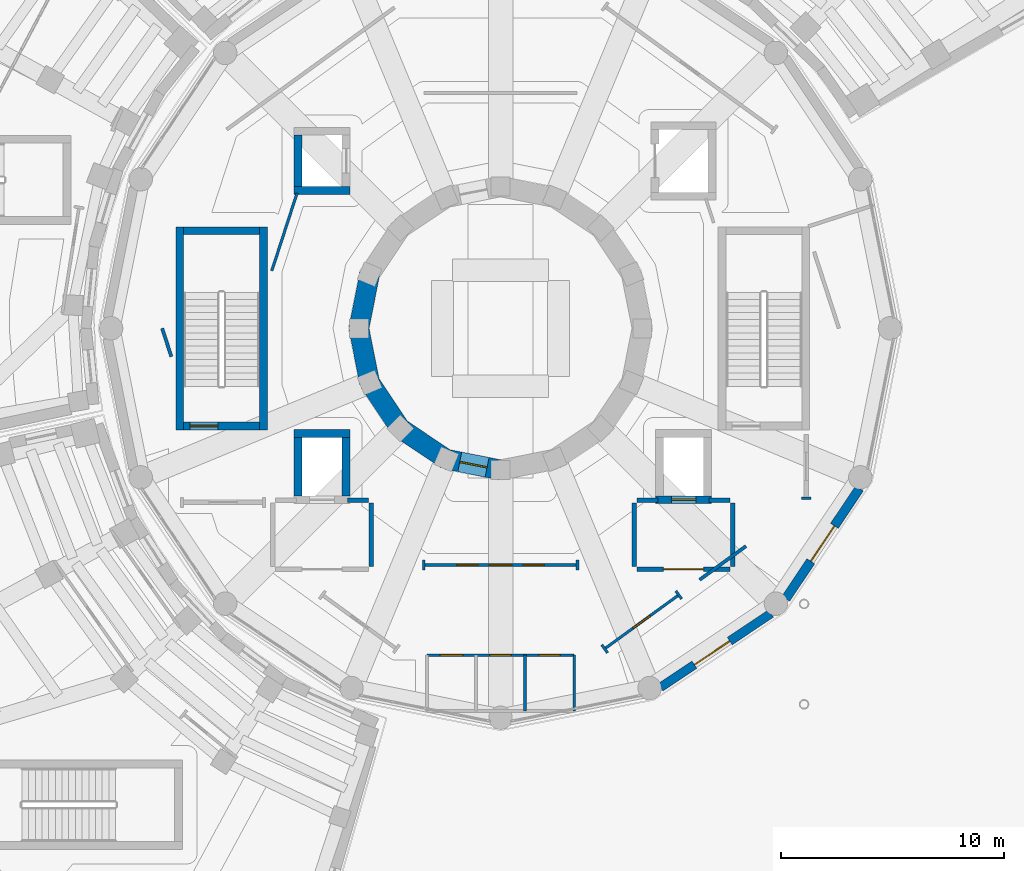
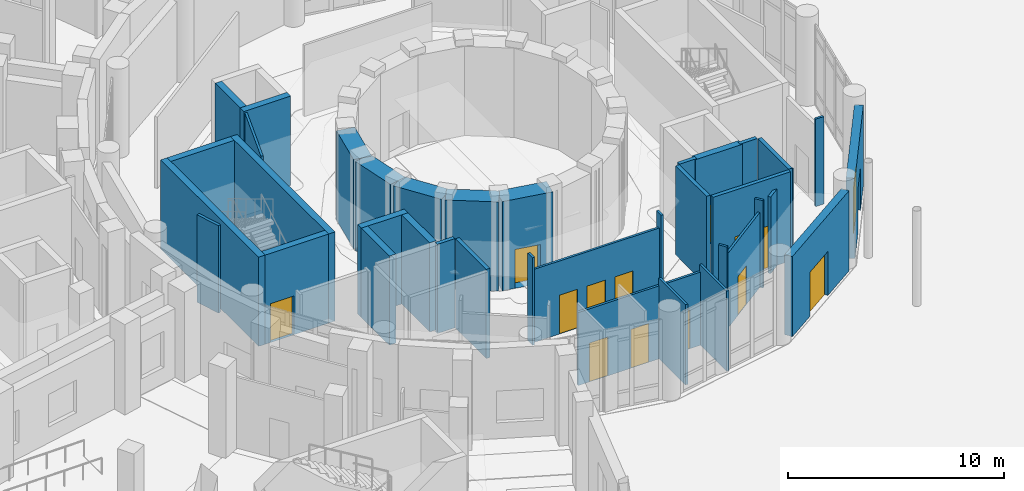
# One storey, part 44 of 74: 37 walls, 13 doors, 13 openings.
"""IFC4 building model written with IfcOpenShell, lengths in metres."""

from ifc_helpers import new_model, si_unit, direction, frame, frame_2d, origin, place, context, subcontext, project, spatial, rectangle, extrude, material, layer, layer_set, type_object, element, fill, save


model = new_model("IFC4")

# Units and contexts
model_context = context("Model", 3, precision=1e-05, world=origin(), true_north=direction((0.0, 1.0)))
body_context = subcontext(model_context, "Body", "Model", "MODEL_VIEW")
ifc_project = project(units=[si_unit("LENGTHUNIT", "METRE"), si_unit("AREAUNIT", "SQUARE_METRE"), si_unit("VOLUMEUNIT", "CUBIC_METRE"), si_unit("PLANEANGLEUNIT", "RADIAN"), si_unit("MASSUNIT", "GRAM", prefix="KILO")], contexts=[model_context])

# Site, building, storey
site_placement = place(None, origin())
site = spatial("IfcSite", under=ifc_project, at=site_placement, CompositionType="ELEMENT")
building_placement = place(site_placement, origin())
building = spatial("IfcBuilding", under=site, at=building_placement, Name="Soyqirgoq Riverine Aquarium", CompositionType="ELEMENT")
storey_placement = place(building_placement, origin())
storey = spatial("IfcBuildingStorey", under=building, at=storey_placement, Name="L01", CompositionType="ELEMENT", Elevation=0.0)

# Wall, opening, door
ifc_material_1 = material(Name="Concrete C40/50", Category="concrete")
ifc_layer_1 = layer(ifc_material_1, 0.35009765625)
ifc_layer_set_1 = layer_set([ifc_layer_1], Name="Concrete C40/50")
wall_type_1 = type_object("IfcWallType", Name="CoreShearWall_350_C40", PredefinedType="SHEAR", material=ifc_layer_set_1)
wall_1_placement = place(storey_placement, frame((62.945068359375, 49.320068359375, 0.0), z_axis=(0.0, 0.0, 1.0), x_axis=(1.0, 0.0, 0.0)))
wall_1 = element("IfcWall", 1, at=wall_1_placement, inside=storey, type_object=wall_type_1, Name="Lift FFL-1 Shaft Wall L01 1", PredefinedType="SHEAR", context=body_context, shape_type="SweptSolid", body=[
    extrude(rectangle(XDim=2.510009765625, YDim=0.35009765625, at=frame_2d((1.2548828125, 0.0))), origin(), (0.0, 0.0, 1.0), 5.050048828125),
])
opening_1_placement = place(wall_1_placement, frame((0.705078125, 0.0, 0.0)))
opening_1 = element("IfcOpeningElement", 2, at=opening_1_placement, cuts=wall_1, Name="Opening LD-01", PredefinedType="OPENING", context=body_context, shape_type="SweptSolid", body=[
    extrude(rectangle(XDim=1.10009765625, YDim=2.199951171875, at=frame_2d((0.550048828125, 1.10009765625))), frame((0.0, 0.18505859375, 0.0), z_axis=(0.0, -1.0, 0.0), x_axis=(1.0, 0.0, 0.0)), (0.0, 0.0, 1.0), 0.3701171875),
])
ifc_material_2 = material(Name="Brushed stainless steel telescopic lift landing door", Category="steel")
door_type_1 = type_object("IfcDoorType", Name="LiftLandingDoor_1100x2200", OperationType="SLIDING_TO_LEFT", PredefinedType="DOOR", material=ifc_material_2)
door_1_placement = place(opening_1_placement, origin())
door_1 = element("IfcDoor", 3, at=door_1_placement, inside=storey, type_object=door_type_1, Name="LD-FFL-1-L01 Lift FFL-1 L01 Sliding Landing Door", OperationType="SLIDING_TO_LEFT", OverallHeight=2.199951171875, OverallWidth=1.10009765625, PredefinedType="DOOR", context=body_context, shape_type="SweptSolid", body=[
    extrude(rectangle(XDim=1.10009765625, YDim=2.199951171875, at=frame_2d((0.550048828125, 1.10009765625))), frame((0.0, 0.02490234375, 0.0), z_axis=(0.0, -1.0, 0.0), x_axis=(1.0, 0.0, 0.0)), (0.0, 0.0, 1.0), 0.050048828125),
])
fill(opening_1, door_1)

# Walls
wall_2_placement = place(storey_placement, frame((45.375, 52.449951171875, 0.0), z_axis=(0.0, 0.0, 1.0), x_axis=(0.0, 1.0, 0.0)))
element("IfcWall", 4, at=wall_2_placement, inside=storey, type_object=wall_type_1, Name="CORE-1B L01 Stair Core Shear Wall SIDE1", PredefinedType="SHEAR", context=body_context, shape_type="SweptSolid", body=[
    extrude(rectangle(XDim=9.10009765625, YDim=0.35009765625, at=frame_2d((4.550048828125, 0.0))), origin(), (0.0, 0.0, 1.0), 5.050048828125),
])
wall_3_placement = place(storey_placement, frame((45.199951171875, 61.375, 0.0), z_axis=(0.0, 0.0, 1.0), x_axis=(-1.0, 0.0, 0.0)))
element("IfcWall", 5, at=wall_3_placement, inside=storey, type_object=wall_type_1, Name="CORE-1B L01 Stair Core Shear Wall BACK", PredefinedType="SHEAR", context=body_context, shape_type="SweptSolid", body=[
    extrude(rectangle(XDim=3.39990234375, YDim=0.35009765625, at=frame_2d((1.699951171875, 0.0))), origin(), (0.0, 0.0, 1.0), 5.050048828125),
])
wall_4_placement = place(storey_placement, frame((41.625, 61.550048828125, 0.0), z_axis=(0.0, 0.0, 1.0), x_axis=(0.0, -1.0, 0.0)))
element("IfcWall", 6, at=wall_4_placement, inside=storey, type_object=wall_type_1, Name="CORE-1B L01 Stair Core Shear Wall SIDE2", PredefinedType="SHEAR", context=body_context, shape_type="SweptSolid", body=[
    extrude(rectangle(XDim=9.10009765625, YDim=0.35009765625, at=frame_2d((4.550048828125, 0.0))), origin(), (0.0, 0.0, 1.0), 5.050048828125),
])

# Wall, opening, door
wall_5_placement = place(storey_placement, frame((41.800048828125, 52.625, 0.0), z_axis=(0.0, 0.0, 1.0), x_axis=(1.0, 0.0, 0.0)))
wall_5 = element("IfcWall", 7, at=wall_5_placement, inside=storey, type_object=wall_type_1, Name="CORE-1B L01 Stair Core Shear Wall FRONT", PredefinedType="SHEAR", context=body_context, shape_type="SweptSolid", body=[
    extrude(rectangle(XDim=3.39990234375, YDim=0.35009765625, at=frame_2d((1.699951171875, 0.0))), origin(), (0.0, 0.0, 1.0), 5.050048828125),
])
opening_2_placement = place(wall_5_placement, frame((0.280029296875, 0.0, 0.0)))
opening_2 = element("IfcOpeningElement", 8, at=opening_2_placement, cuts=wall_5, Name="Opening FD-01", PredefinedType="OPENING", context=body_context, shape_type="SweptSolid", body=[
    extrude(rectangle(XDim=1.25, YDim=2.199951171875, at=frame_2d((0.625, 1.10009765625))), frame((0.0, 0.18505859375, 0.0), z_axis=(0.0, -1.0, 0.0), x_axis=(1.0, 0.0, 0.0)), (0.0, 0.0, 1.0), 0.3701171875),
])
ifc_material_3 = material(Name="Galvanised steel fire-resisting stair door", Category="steel")
door_type_2 = type_object("IfcDoorType", Name="StairFireDoor_1250x2200_EI90", OperationType="NOTDEFINED", PredefinedType="DOOR", material=ifc_material_3)
door_2_placement = place(opening_2_placement, origin())
door_2 = element("IfcDoor", 9, at=door_2_placement, inside=storey, type_object=door_type_2, Name="DR-ST-9-L01 ST-9 L01 Fire-Rated Stairwell Door", OperationType="SINGLE_SWING_RIGHT", OverallHeight=2.199951171875, OverallWidth=1.25, PredefinedType="DOOR", context=body_context, shape_type="SweptSolid", body=[
    extrude(rectangle(XDim=1.25, YDim=2.199951171875, at=frame_2d((0.625, 1.10009765625))), frame((0.0, 0.02490234375, 0.0), z_axis=(0.0, -1.0, 0.0), x_axis=(1.0, 0.0, 0.0)), (0.0, 0.0, 1.0), 0.050048828125),
])
fill(opening_2, door_2)

# Walls
wall_6_placement = place(storey_placement, frame((49.080078125, 49.4951171875, 0.0), z_axis=(0.0, 0.0, 1.0), x_axis=(0.0, 1.0, 0.0)))
element("IfcWall", 10, at=wall_6_placement, inside=storey, type_object=wall_type_1, Name="Lift FFL-2 Shaft Wall L01 2", PredefinedType="SHEAR", context=body_context, shape_type="SweptSolid", body=[
    extrude(rectangle(XDim=2.60986328125, YDim=0.35009765625, at=frame_2d((1.304931640625, 0.0))), origin(), (0.0, 0.0, 1.0), 5.050048828125),
])
wall_7_placement = place(storey_placement, frame((49.2548828125, 52.280029296875, 0.0), z_axis=(0.0, 0.0, 1.0), x_axis=(-1.0, 0.0, 0.0)))
element("IfcWall", 11, at=wall_7_placement, inside=storey, type_object=wall_type_1, Name="Lift FFL-2 Shaft Wall L01 3", PredefinedType="SHEAR", context=body_context, shape_type="SweptSolid", body=[
    extrude(rectangle(XDim=2.509765625, YDim=0.35009765625, at=frame_2d((1.2548828125, 0.0))), origin(), (0.0, 0.0, 1.0), 5.050048828125),
])
wall_8_placement = place(storey_placement, frame((46.919921875, 52.10498046875, 0.0), z_axis=(0.0, 0.0, 1.0), x_axis=(0.0, -1.0, 0.0)))
element("IfcWall", 12, at=wall_8_placement, inside=storey, type_object=wall_type_1, Name="Lift FFL-2 Shaft Wall L01 4", PredefinedType="SHEAR", context=body_context, shape_type="SweptSolid", body=[
    extrude(rectangle(XDim=2.60986328125, YDim=0.35009765625, at=frame_2d((1.304931640625, 0.0))), origin(), (0.0, 0.0, 1.0), 5.050048828125),
])
wall_9_placement = place(storey_placement, frame((46.7451171875, 63.169921875, 0.0), z_axis=(0.0, 0.0, 1.0), x_axis=(1.0, 0.0, 0.0)))
element("IfcWall", 13, at=wall_9_placement, inside=storey, type_object=wall_type_1, Name="Lift PL-1 Shaft Wall L01 1", PredefinedType="SHEAR", context=body_context, shape_type="SweptSolid", body=[
    extrude(rectangle(XDim=2.509765625, YDim=0.35009765625, at=frame_2d((1.2548828125, 0.0))), origin(), (0.0, 0.0, 1.0), 5.050048828125),
])
wall_10_placement = place(storey_placement, frame((46.919921875, 65.655029296875, 0.0), z_axis=(0.0, 0.0, 1.0), x_axis=(0.0, -1.0, 0.0)))
element("IfcWall", 14, at=wall_10_placement, inside=storey, type_object=wall_type_1, Name="Lift PL-1 Shaft Wall L01 4", PredefinedType="SHEAR", context=body_context, shape_type="SweptSolid", body=[
    extrude(rectangle(XDim=2.31005859375, YDim=0.35009765625, at=frame_2d((1.155029296875, 0.0))), origin(), (0.0, 0.0, 1.0), 5.050048828125),
])
ifc_material_4 = material(Name="Waterproof concrete C45/55", Category="concrete")
ifc_layer_2 = layer(ifc_material_4, 0.89990234375)
ifc_layer_set_2 = layer_set([ifc_layer_2], Name="Waterproof concrete C45/55")
wall_type_2 = type_object("IfcWallType", Name="OceanTankWall_900_C45", PredefinedType="SHEAR", material=ifc_layer_set_2)
for number, where, z_axis, x_axis, name in (
    (15, (50.13330078125, 59.429931640625, 0.0), (0.0, 0.0, 1.0), (-0.195111669554, -0.980781033872, 0.0), "Ocean Tank Containment Wall Segment 08 L01"),
    (16, (49.64990234375, 57.0, 0.0), (0.0, 0.0, 1.0), (0.195111669554, -0.980781033872, 0.0), "Ocean Tank Containment Wall Segment 09 L01"),
):
    element("IfcWall", number, at=place(storey_placement, frame(where, z_axis=z_axis, x_axis=x_axis)), inside=storey, type_object=wall_type_2, Name=name, PredefinedType="SHEAR", context=body_context, shape_type="SweptSolid", body=[
        extrude(rectangle(XDim=2.4775390625, YDim=0.89990234375, at=frame_2d((1.23876953125, 0.0))), origin(), (0.0, 0.0, 1.0), 5.050048828125),
    ])
for number, where, z_axis, x_axis, name in (
    (17, (50.13330078125, 54.570068359375, 0.0), (0.0, 0.0, 1.0), (0.55563212942, -0.831428251117, 0.0), "Ocean Tank Containment Wall Segment 10 L01"),
    (18, (51.510009765625, 52.510009765625, 0.0), (0.0, 0.0, 1.0), (0.831428251117, -0.55563212942, 0.0), "Ocean Tank Containment Wall Segment 11 L01"),
):
    element("IfcWall", number, at=place(storey_placement, frame(where, z_axis=z_axis, x_axis=x_axis)), inside=storey, type_object=wall_type_2, Name=name, PredefinedType="SHEAR", context=body_context, shape_type="SweptSolid", body=[
        extrude(rectangle(XDim=2.477783203125, YDim=0.89990234375, at=frame_2d((1.23876953125, 0.0))), origin(), (0.0, 0.0, 1.0), 5.050048828125),
    ])

# Wall, opening, door
wall_11_placement = place(storey_placement, frame((53.570068359375, 51.13330078125, 0.0), z_axis=(0.0, 0.0, 1.0), x_axis=(0.980781033872, -0.195111669554, 0.0)))
wall_11 = element("IfcWall", 19, at=wall_11_placement, inside=storey, type_object=wall_type_2, Name="Ocean Tank Containment Wall Segment 12 L01", PredefinedType="SHEAR", context=body_context, shape_type="SweptSolid", body=[
    extrude(rectangle(XDim=2.4775390625, YDim=0.89990234375, at=frame_2d((1.23876953125, 0.0))), origin(), (0.0, 0.0, 1.0), 5.050048828125),
])
opening_3_placement = place(wall_11_placement, frame((0.61376953125, 0.0, 0.0)))
opening_3 = element("IfcOpeningElement", 20, at=opening_3_placement, cuts=wall_11, Name="Opening FD-01", PredefinedType="OPENING", context=body_context, shape_type="SweptSolid", body=[
    extrude(rectangle(XDim=1.25, YDim=2.199951171875, at=frame_2d((0.625, 1.10009765625))), frame((0.0, 0.4599609375, 0.0), z_axis=(0.0, -1.0, 0.0), x_axis=(1.0, 0.0, 0.0)), (0.0, 0.0, 1.0), 0.919921875),
])
door_3_placement = place(opening_3_placement, origin())
door_3 = element("IfcDoor", 21, at=door_3_placement, inside=storey, type_object=door_type_2, Name="DR-TUN-L01-01 Acrylic Viewing Tunnel Portal Door 01", OperationType="SLIDING_TO_LEFT", OverallHeight=2.199951171875, OverallWidth=1.25, PredefinedType="DOOR", context=body_context, shape_type="SweptSolid", body=[
    extrude(rectangle(XDim=1.25, YDim=2.199951171875, at=frame_2d((0.625, 1.10009765625))), frame((0.0, 0.02490234375, 0.0), z_axis=(0.0, -1.0, 0.0), x_axis=(1.0, 0.0, 0.0)), (0.0, 0.0, 1.0), 0.050048828125),
])
fill(opening_3, door_3)

# Wall, openings, doors
ifc_material_5 = material(Name="Lightweight steel-stud gypsum partition", Category="steel")
ifc_layer_3 = layer(ifc_material_5, 0.1201171875)
ifc_layer_set_3 = layer_set([ifc_layer_3], Name="Lightweight steel-stud gypsum partition")
wall_type_3 = type_object("IfcWallType", Name="PartitionWall_120_Std", PredefinedType="PARTITIONING", material=ifc_layer_set_3)
wall_12_placement = place(storey_placement, frame((59.445556640625, 46.395751953125, 0.0), z_axis=(0.0, 0.0, 1.0), x_axis=(-1.0, 0.0, 0.0)))
wall_12 = element("IfcWall", 22, at=wall_12_placement, inside=storey, type_object=wall_type_3, Name="Ocean Drum Circulation Corridor Partition Wall", PredefinedType="PARTITIONING", context=body_context, shape_type="SweptSolid", body=[
    extrude(rectangle(XDim=6.89111328125, YDim=0.1201171875, at=frame_2d((3.445556640625, 0.0))), origin(), (0.0, 0.0, 1.0), 4.139892578125),
])
opening_4_placement = place(wall_12_placement, frame((2.945556640625, 0.0, 0.0)))
opening_4 = element("IfcOpeningElement", 23, at=opening_4_placement, cuts=wall_12, Name="Opening ID-03", PredefinedType="OPENING", context=body_context, shape_type="SweptSolid", body=[
    extrude(rectangle(XDim=1.0, YDim=2.199951171875, at=frame_2d((0.5, 1.10009765625))), frame((0.0, 0.070068359375, 0.0), z_axis=(0.0, -1.0, 0.0), x_axis=(1.0, 0.0, 0.0)), (0.0, 0.0, 1.0), 0.14013671875),
])
opening_5_placement = place(wall_12_placement, frame((1.4853515625, 0.0, 0.0)))
opening_5 = element("IfcOpeningElement", 24, at=opening_5_placement, cuts=wall_12, Name="Opening ID-06", PredefinedType="OPENING", context=body_context, shape_type="SweptSolid", body=[
    extrude(rectangle(XDim=0.949951171875, YDim=2.199951171875, at=frame_2d((0.47509765625, 1.10009765625))), frame((0.0, 0.070068359375, 0.0), z_axis=(0.0, -1.0, 0.0), x_axis=(1.0, 0.0, 0.0)), (0.0, 0.0, 1.0), 0.14013671875),
])
opening_6_placement = place(wall_12_placement, frame((4.455810546875, 0.0, 0.0)))
opening_6 = element("IfcOpeningElement", 25, at=opening_6_placement, cuts=wall_12, Name="Opening ID-06", PredefinedType="OPENING", context=body_context, shape_type="SweptSolid", body=[
    extrude(rectangle(XDim=0.949951171875, YDim=2.199951171875, at=frame_2d((0.47509765625, 1.10009765625))), frame((0.0, 0.070068359375, 0.0), z_axis=(0.0, -1.0, 0.0), x_axis=(1.0, 0.0, 0.0)), (0.0, 0.0, 1.0), 0.14013671875),
])
ifc_material_6 = material(Name="Solid-core ash veneer room door", Category="wood")
door_type_3 = type_object("IfcDoorType", Name="RoomDoor_1000x2200", OperationType="NOTDEFINED", PredefinedType="DOOR", material=ifc_material_6)
door_4_placement = place(opening_4_placement, origin())
door_4 = element("IfcDoor", 26, at=door_4_placement, inside=storey, type_object=door_type_3, Name="IDR-V1-L01-0017 Subsea Window Alcove Door", OperationType="SINGLE_SWING_LEFT", OverallHeight=2.199951171875, OverallWidth=1.0, PredefinedType="DOOR", context=body_context, shape_type="SweptSolid", body=[
    extrude(rectangle(XDim=1.0, YDim=2.199951171875, at=frame_2d((0.5, 1.10009765625))), frame((0.0, 0.02490234375, 0.0), z_axis=(0.0, -1.0, 0.0), x_axis=(1.0, 0.0, 0.0)), (0.0, 0.0, 1.0), 0.050048828125),
])
fill(opening_4, door_4)
ifc_material_7 = material(Name="Moisture-resistant HPL washroom door", Category="wood")
door_type_4 = type_object("IfcDoorType", Name="WCDoor_950x2200", OperationType="NOTDEFINED", PredefinedType="DOOR", material=ifc_material_7)
door_5_placement = place(opening_5_placement, origin())
door_5 = element("IfcDoor", 27, at=door_5_placement, inside=storey, type_object=door_type_4, Name="IDR-V1-L01-0019 Ocean Drum Circulation Corridor Access Door", OperationType="SINGLE_SWING_LEFT", OverallHeight=2.199951171875, OverallWidth=0.949951171875, PredefinedType="DOOR", context=body_context, shape_type="SweptSolid", body=[
    extrude(rectangle(XDim=0.949951171875, YDim=2.199951171875, at=frame_2d((0.47509765625, 1.10009765625))), frame((0.0, 0.02490234375, 0.0), z_axis=(0.0, -1.0, 0.0), x_axis=(1.0, 0.0, 0.0)), (0.0, 0.0, 1.0), 0.050048828125),
])
fill(opening_5, door_5)
door_6_placement = place(opening_6_placement, origin())
door_6 = element("IfcDoor", 28, at=door_6_placement, inside=storey, type_object=door_type_4, Name="IDR-V1-L01-0021 Subsea Window Alcove Access Door", OperationType="SINGLE_SWING_LEFT", OverallHeight=2.199951171875, OverallWidth=0.949951171875, PredefinedType="DOOR", context=body_context, shape_type="SweptSolid", body=[
    extrude(rectangle(XDim=0.949951171875, YDim=2.199951171875, at=frame_2d((0.47509765625, 1.10009765625))), frame((0.0, 0.02490234375, 0.0), z_axis=(0.0, -1.0, 0.0), x_axis=(1.0, 0.0, 0.0)), (0.0, 0.0, 1.0), 0.050048828125),
])
fill(opening_6, door_6)

# Wall, opening, door
wall_13_placement = place(storey_placement, frame((60.666259765625, 42.638916015625, 0.0), z_axis=(0.0, 0.0, 1.0), x_axis=(0.808993389874, 0.587817739729, 0.0)))
wall_13 = element("IfcWall", 29, at=wall_13_placement, inside=storey, type_object=wall_type_3, Name="Ocean Drum Circulation Corridor Partition Wall", PredefinedType="PARTITIONING", context=body_context, shape_type="SweptSolid", body=[
    extrude(rectangle(XDim=4.101806640625, YDim=0.1201171875, at=frame_2d((2.05078125, 0.0))), origin(), (0.0, 0.0, 1.0), 4.239990234375),
])
opening_7_placement = place(wall_13_placement, frame((1.575927734375, 0.0, 0.0)))
opening_7 = element("IfcOpeningElement", 30, at=opening_7_placement, cuts=wall_13, Name="Opening ID-06", PredefinedType="OPENING", context=body_context, shape_type="SweptSolid", body=[
    extrude(rectangle(XDim=0.949951171875, YDim=2.199951171875, at=frame_2d((0.47509765625, 1.10009765625))), frame((0.0, 0.070068359375, 0.0), z_axis=(0.0, -1.0, 0.0), x_axis=(1.0, 0.0, 0.0)), (0.0, 0.0, 1.0), 0.14013671875),
])
door_7_placement = place(opening_7_placement, origin())
door_7 = element("IfcDoor", 31, at=door_7_placement, inside=storey, type_object=door_type_4, Name="IDR-V1-L01-0022 Benthic Reef Viewing Gallery Access Door", OperationType="SINGLE_SWING_RIGHT", OverallHeight=2.199951171875, OverallWidth=0.949951171875, PredefinedType="DOOR", context=body_context, shape_type="SweptSolid", body=[
    extrude(rectangle(XDim=0.949951171875, YDim=2.199951171875, at=frame_2d((0.47509765625, 1.10009765625))), frame((0.0, 0.02490234375, 0.0), z_axis=(0.0, -1.0, 0.0), x_axis=(1.0, 0.0, 0.0)), (0.0, 0.0, 1.0), 0.050048828125),
])
fill(opening_7, door_7)

# Walls
wall_14_placement = place(storey_placement, frame((46.880859375, 63.055908203125, 0.0), z_axis=(0.0, 0.0, 1.0), x_axis=(-0.3090332715, -0.951051227383, 0.0)))
element("IfcWall", 32, at=wall_14_placement, inside=storey, type_object=wall_type_3, Name="Subsea Window Alcove Partition Wall", PredefinedType="PARTITIONING", context=body_context, shape_type="SweptSolid", body=[
    extrude(rectangle(XDim=3.659423828125, YDim=0.1201171875, at=frame_2d((1.82958984375, 0.0))), origin(), (0.0, 0.0, 1.0), 4.949951171875),
])
for number, where, z_axis, x_axis, name in (
    (33, (69.919921875, 49.380126953125, 0.0), (0.0, 0.0, 1.0), (-1.0, 0.0, 0.0), "V1 L01 Jamb Return Pier"),
    (34, (59.445556640625, 46.61572265625, 0.0), (0.0, 0.0, 1.0), (0.0, -1.0, 0.0), "V1 L01 Jamb Return Pier"),
    (35, (52.554443359375, 46.61572265625, 0.0), (0.0, 0.0, 1.0), (0.0, -1.0, 0.0), "V1 L01 Jamb Return Pier"),
    (36, (60.79541015625, 42.4609375, 0.0), (0.0, 0.0, 1.0), (-0.587676645097, 0.809095890984, 0.0), "V1 L01 Jamb Return Pier"),
):
    element("IfcWall", number, at=place(storey_placement, frame(where, z_axis=z_axis, x_axis=x_axis)), inside=storey, type_object=wall_type_3, Name=name, PredefinedType="PARTITIONING", context=body_context, shape_type="SweptSolid", body=[
        extrude(rectangle(XDim=0.43994140625, YDim=0.1201171875, at=frame_2d((0.219970703125, 0.0))), origin(), (0.0, 0.0, 1.0), 4.949951171875),
    ])
wall_15_placement = place(storey_placement, frame((64.114013671875, 44.8720703125, 0.0), z_axis=(0.0, 0.0, 1.0), x_axis=(-0.588039748242, 0.808832031072, 0.0)))
element("IfcWall", 37, at=wall_15_placement, inside=storey, type_object=wall_type_3, Name="V1 L01 Jamb Return Pier", PredefinedType="PARTITIONING", context=body_context, shape_type="SweptSolid", body=[
    extrude(rectangle(XDim=0.440185546875, YDim=0.1201171875, at=frame_2d((0.22021484375, 0.0))), origin(), (0.0, 0.0, 1.0), 4.949951171875),
])

# Wall, openings, doors
ifc_material_8 = material(Name="Moisture-resistant cement-board wet-room partition", Category="gypsum")
ifc_layer_4 = layer(ifc_material_8, 0.125)
ifc_layer_set_4 = layer_set([ifc_layer_4], Name="Moisture-resistant cement-board wet-room partition")
wall_type_4 = type_object("IfcWallType", Name="PartitionWall_125_Wet", PredefinedType="PARTITIONING", material=ifc_layer_set_4)
wall_16_placement = place(storey_placement, frame((52.699951171875, 42.35009765625, 0.0), z_axis=(0.0, 0.0, 1.0), x_axis=(1.0, 0.0, 0.0)))
wall_16 = element("IfcWall", 38, at=wall_16_placement, inside=storey, type_object=wall_type_4, Name="V1 L01 WC Suite Front Wall", PredefinedType="PARTITIONING", context=body_context, shape_type="SweptSolid", body=[
    extrude(rectangle(XDim=6.60009765625, YDim=0.125, at=frame_2d((3.300048828125, 0.0))), origin(), (0.0, 0.0, 1.0), 4.139892578125),
])
opening_8_placement = place(wall_16_placement, frame((0.60009765625, 0.0, 0.0)))
opening_8 = element("IfcOpeningElement", 39, at=opening_8_placement, cuts=wall_16, Name="Opening ID-05", PredefinedType="OPENING", context=body_context, shape_type="SweptSolid", body=[
    extrude(rectangle(XDim=1.0, YDim=2.199951171875, at=frame_2d((0.5, 1.10009765625))), frame((0.0, 0.072509765625, 0.0), z_axis=(0.0, -1.0, 0.0), x_axis=(1.0, 0.0, 0.0)), (0.0, 0.0, 1.0), 0.14501953125),
])
opening_9_placement = place(wall_16_placement, frame((2.824951171875, 0.0, 0.0)))
opening_9 = element("IfcOpeningElement", 40, at=opening_9_placement, cuts=wall_16, Name="Opening ID-06", PredefinedType="OPENING", context=body_context, shape_type="SweptSolid", body=[
    extrude(rectangle(XDim=0.949951171875, YDim=2.199951171875, at=frame_2d((0.47509765625, 1.10009765625))), frame((0.0, 0.072509765625, 0.0), z_axis=(0.0, -1.0, 0.0), x_axis=(1.0, 0.0, 0.0)), (0.0, 0.0, 1.0), 0.14501953125),
])
opening_10_placement = place(wall_16_placement, frame((5.02490234375, 0.0, 0.0)))
opening_10 = element("IfcOpeningElement", 41, at=opening_10_placement, cuts=wall_16, Name="Opening ID-06", PredefinedType="OPENING", context=body_context, shape_type="SweptSolid", body=[
    extrude(rectangle(XDim=0.949951171875, YDim=2.199951171875, at=frame_2d((0.47509765625, 1.10009765625))), frame((0.0, 0.072509765625, 0.0), z_axis=(0.0, -1.0, 0.0), x_axis=(1.0, 0.0, 0.0)), (0.0, 0.0, 1.0), 0.14501953125),
])
ifc_material_9 = material(Name="Moisture-resistant HPL accessible washroom door", Category="wood")
door_type_5 = type_object("IfcDoorType", Name="AccessibleWCDoor_1000x2200", OperationType="NOTDEFINED", PredefinedType="DOOR", material=ifc_material_9)
door_8_placement = place(opening_8_placement, origin())
door_8 = element("IfcDoor", 42, at=door_8_placement, inside=storey, type_object=door_type_5, Name="IDR-V1-L01-0012 Accessible WC Door", OperationType="SINGLE_SWING_RIGHT", OverallHeight=2.199951171875, OverallWidth=1.0, PredefinedType="DOOR", context=body_context, shape_type="SweptSolid", body=[
    extrude(rectangle(XDim=1.0, YDim=2.199951171875, at=frame_2d((0.5, 1.10009765625))), frame((0.0, 0.02490234375, 0.0), z_axis=(0.0, -1.0, 0.0), x_axis=(1.0, 0.0, 0.0)), (0.0, 0.0, 1.0), 0.050048828125),
])
fill(opening_8, door_8)
door_9_placement = place(opening_9_placement, origin())
door_9 = element("IfcDoor", 43, at=door_9_placement, inside=storey, type_object=door_type_4, Name="IDR-V1-L01-0013 Public Female WC Door", OperationType="SINGLE_SWING_LEFT", OverallHeight=2.199951171875, OverallWidth=0.949951171875, PredefinedType="DOOR", context=body_context, shape_type="SweptSolid", body=[
    extrude(rectangle(XDim=0.949951171875, YDim=2.199951171875, at=frame_2d((0.47509765625, 1.10009765625))), frame((0.0, 0.02490234375, 0.0), z_axis=(0.0, -1.0, 0.0), x_axis=(1.0, 0.0, 0.0)), (0.0, 0.0, 1.0), 0.050048828125),
])
fill(opening_9, door_9)
door_10_placement = place(opening_10_placement, origin())
door_10 = element("IfcDoor", 44, at=door_10_placement, inside=storey, type_object=door_type_4, Name="IDR-V1-L01-0014 Public Male WC Door", OperationType="SINGLE_SWING_RIGHT", OverallHeight=2.199951171875, OverallWidth=0.949951171875, PredefinedType="DOOR", context=body_context, shape_type="SweptSolid", body=[
    extrude(rectangle(XDim=0.949951171875, YDim=2.199951171875, at=frame_2d((0.47509765625, 1.10009765625))), frame((0.0, 0.02490234375, 0.0), z_axis=(0.0, -1.0, 0.0), x_axis=(1.0, 0.0, 0.0)), (0.0, 0.0, 1.0), 0.050048828125),
])
fill(opening_10, door_10)

# Walls
for number, where, z_axis, x_axis, name in (
    (45, (59.300048828125, 39.85009765625, 0.0), (0.0, 0.0, 1.0), (0.0, 1.0, 0.0), "V1 L01 WC Suite East Wall"),
    (46, (57.10009765625, 39.85009765625, 0.0), (0.0, 0.0, 1.0), (0.0, 1.0, 0.0), "V1 L01 WC Cubicle Divider 2"),
):
    element("IfcWall", number, at=place(storey_placement, frame(where, z_axis=z_axis, x_axis=x_axis)), inside=storey, type_object=wall_type_4, Name=name, PredefinedType="PARTITIONING", context=body_context, shape_type="SweptSolid", body=[
        extrude(rectangle(XDim=2.5, YDim=0.125, at=frame_2d((1.25, 0.0))), origin(), (0.0, 0.0, 1.0), 4.5400390625),
    ])
ifc_material_10 = material(Name="Acoustic mineral-wool twin-stud partition", Category="gypsum")
ifc_layer_5 = layer(ifc_material_10, 0.14990234375)
ifc_layer_set_5 = layer_set([ifc_layer_5], Name="Acoustic mineral-wool twin-stud partition")
wall_type_5 = type_object("IfcWallType", Name="PartitionWall_150_Acoustic", PredefinedType="PARTITIONING", material=ifc_layer_set_5)
wall_17_placement = place(storey_placement, frame((64.919921875, 45.7294921875, 0.0), z_axis=(0.0, 0.0, 1.0), x_axis=(0.808990612292, 0.5878215624, 0.0)))
element("IfcWall", 47, at=wall_17_placement, inside=storey, type_object=wall_type_5, Name="Ocean Drum Circulation Corridor Partition Wall", PredefinedType="PARTITIONING", context=body_context, shape_type="SweptSolid", body=[
    extrude(rectangle(XDim=2.57080078125, YDim=0.14990234375, at=frame_2d((1.285400390625, 0.0))), origin(), (0.0, 0.0, 1.0), 4.340087890625),
])
wall_18_placement = place(storey_placement, frame((41.25, 55.728515625, 0.0), z_axis=(0.0, 0.0, 1.0), x_axis=(-0.30898696848, 0.951066271776, 0.0)))
element("IfcWall", 48, at=wall_18_placement, inside=storey, type_object=wall_type_5, Name="South Reef Viewing Gallery Partition Wall", PredefinedType="PARTITIONING", context=body_context, shape_type="SweptSolid", body=[
    extrude(rectangle(XDim=1.3369140625, YDim=0.14990234375, at=frame_2d((0.66845703125, 0.0))), origin(), (0.0, 0.0, 1.0), 4.949951171875),
])

# Wall, opening, door
ifc_material_11 = material(Name="Fire-rated calcium silicate twin-stud partition", Category="gypsum")
ifc_layer_6 = layer(ifc_material_11, 0.199951171875)
ifc_layer_set_6 = layer_set([ifc_layer_6], Name="Fire-rated calcium silicate twin-stud partition")
wall_type_6 = type_object("IfcWallType", Name="PartitionWall_200_EI90", PredefinedType="PARTITIONING", material=ifc_layer_set_6)
wall_19_placement = place(storey_placement, frame((62.1201171875, 46.199951171875, 0.0), z_axis=(0.0, 0.0, 1.0), x_axis=(1.0, 0.0, 0.0)))
wall_19 = element("IfcWall", 49, at=wall_19_placement, inside=storey, type_object=wall_type_6, Name="CORE-1 L01 Firefighting Lobby South Enclosure Wall", PredefinedType="PARTITIONING", context=body_context, shape_type="SweptSolid", body=[
    extrude(rectangle(XDim=4.159912109375, YDim=0.199951171875, at=frame_2d((2.080078125, 0.0))), origin(), (0.0, 0.0, 1.0), 5.050048828125),
])
opening_11_placement = place(wall_19_placement, frame((1.179931640625, 0.0, 0.0)))
opening_11 = element("IfcOpeningElement", 50, at=opening_11_placement, cuts=wall_19, Name="Opening FD-02", PredefinedType="OPENING", context=body_context, shape_type="SweptSolid", body=[
    extrude(rectangle(XDim=1.800048828125, YDim=2.39990234375, at=frame_2d((0.89990234375, 1.199951171875))), frame((0.0, 0.10986328125, 0.0), z_axis=(0.0, -1.0, 0.0), x_axis=(1.0, 0.0, 0.0)), (0.0, 0.0, 1.0), 0.219970703125),
])
ifc_material_12 = material(Name="Glazed steel fire-resisting corridor double door", Category="steel")
door_type_6 = type_object("IfcDoorType", Name="LobbyFireDoor_1800x2400_EI60", OperationType="DOUBLE_DOOR_SINGLE_SWING", PredefinedType="DOOR", material=ifc_material_12)
door_11_placement = place(opening_11_placement, origin())
door_11 = element("IfcDoor", 51, at=door_11_placement, inside=storey, type_object=door_type_6, Name="DR-FFL-CORE-1-L01 CORE-1 L01 Firefighting Lobby Fire Door", OperationType="DOUBLE_DOOR_SINGLE_SWING", OverallHeight=2.39990234375, OverallWidth=1.800048828125, PredefinedType="DOOR", context=body_context, shape_type="SweptSolid", body=[
    extrude(rectangle(XDim=1.800048828125, YDim=2.39990234375, at=frame_2d((0.89990234375, 1.199951171875))), frame((0.0, 0.02490234375, 0.0), z_axis=(0.0, -1.0, 0.0), x_axis=(1.0, 0.0, 0.0)), (0.0, 0.0, 1.0), 0.050048828125),
])
fill(opening_11, door_11)

# Walls
for number, where, z_axis, x_axis, name in (
    (52, (62.0, 46.320068359375, 0.0), (0.0, 0.0, 1.0), (0.0, 1.0, 0.0), "CORE-1 L01 Firefighting Lobby W Wall"),
    (53, (66.39990234375, 46.320068359375, 0.0), (0.0, 0.0, 1.0), (0.0, 1.0, 0.0), "CORE-1 L01 Firefighting Lobby E Wall"),
):
    element("IfcWall", number, at=place(storey_placement, frame(where, z_axis=z_axis, x_axis=x_axis)), inside=storey, type_object=wall_type_6, Name=name, PredefinedType="PARTITIONING", context=body_context, shape_type="SweptSolid", body=[
        extrude(rectangle(XDim=2.85986328125, YDim=0.199951171875, at=frame_2d((1.429931640625, 0.0))), origin(), (0.0, 0.0, 1.0), 5.050048828125),
    ])
for number, where, z_axis, x_axis, name in (
    (54, (62.1201171875, 49.300048828125, 0.0), (0.0, 0.0, 1.0), (1.0, 0.0, 0.0), "CORE-1 L01 Firefighting Lobby NL Wall"),
    (55, (65.35009765625, 49.300048828125, 0.0), (0.0, 0.0, 1.0), (1.0, 0.0, 0.0), "CORE-1 L01 Firefighting Lobby NR Wall"),
):
    element("IfcWall", number, at=place(storey_placement, frame(where, z_axis=z_axis, x_axis=x_axis)), inside=storey, type_object=wall_type_6, Name=name, PredefinedType="PARTITIONING", context=body_context, shape_type="SweptSolid", body=[
        extrude(rectangle(XDim=0.929931640625, YDim=0.199951171875, at=frame_2d((0.46484375, 0.0))), origin(), (0.0, 0.0, 1.0), 5.050048828125),
    ])
wall_20_placement = place(storey_placement, frame((50.199951171875, 46.320068359375, 0.0), z_axis=(0.0, 0.0, 1.0), x_axis=(0.0, 1.0, 0.0)))
element("IfcWall", 56, at=wall_20_placement, inside=storey, type_object=wall_type_6, Name="CORE-1B L01 Firefighting Lobby E Wall", PredefinedType="PARTITIONING", context=body_context, shape_type="SweptSolid", body=[
    extrude(rectangle(XDim=2.85986328125, YDim=0.199951171875, at=frame_2d((1.429931640625, 0.0))), origin(), (0.0, 0.0, 1.0), 5.050048828125),
])
wall_21_placement = place(storey_placement, frame((49.14990234375, 49.300048828125, 0.0), z_axis=(0.0, 0.0, 1.0), x_axis=(1.0, 0.0, 0.0)))
element("IfcWall", 57, at=wall_21_placement, inside=storey, type_object=wall_type_6, Name="CORE-1B L01 Firefighting Lobby NR Wall", PredefinedType="PARTITIONING", context=body_context, shape_type="SweptSolid", body=[
    extrude(rectangle(XDim=0.93017578125, YDim=0.199951171875, at=frame_2d((0.465087890625, 0.0))), origin(), (0.0, 0.0, 1.0), 5.050048828125),
])

# Wall, opening, door
ifc_material_13 = material(Name="Honed travertine limestone cavity wall", Category="masonry")
ifc_layer_7 = layer(ifc_material_13, 0.39990234375)
ifc_layer_set_7 = layer_set([ifc_layer_7], Name="Honed travertine limestone cavity wall")
wall_type_7 = type_object("IfcWallType", Name="TravertineSpandrelWall_400", PredefinedType="SOLIDWALL", material=ifc_layer_set_7)
wall_22_placement = place(storey_placement, frame((68.1181640625, 44.218505859375, 0.0), z_axis=(0.0, 0.0, 1.0), x_axis=(-0.831456414545, -0.555589984352, 0.0)))
wall_22 = element("IfcWall", 58, at=wall_22_placement, inside=storey, type_object=wall_type_7, Name="V1 L01 Exterior Travertine Wall 0044", PredefinedType="SOLIDWALL", context=body_context, shape_type="SweptSolid", body=[
    extrude(rectangle(XDim=5.94970703125, YDim=0.39990234375, at=frame_2d((2.974853515625, 0.0))), origin(), (0.0, 0.0, 1.0), 4.5400390625),
])
opening_12_placement = place(wall_22_placement, frame((2.223388671875, 0.0, 0.0)))
opening_12 = element("IfcOpeningElement", 59, at=opening_12_placement, cuts=wall_22, Name="Opening ED-03", PredefinedType="OPENING", context=body_context, shape_type="SweptSolid", body=[
    extrude(rectangle(XDim=1.89990234375, YDim=2.5, at=frame_2d((0.949951171875, 1.25))), frame((0.0, 0.2099609375, 0.0), z_axis=(0.0, -1.0, 0.0), x_axis=(1.0, 0.0, 0.0)), (0.0, 0.0, 1.0), 0.419921875),
])
ifc_material_14 = material(Name="Anodised aluminium glazed entrance door", Category="aluminium")
door_type_7 = type_object("IfcDoorType", Name="ExitDoubleDoor_1900x2500", OperationType="DOUBLE_DOOR_SINGLE_SWING", PredefinedType="DOOR", material=ifc_material_14)
door_12_placement = place(opening_12_placement, origin())
door_12 = element("IfcDoor", 60, at=door_12_placement, inside=storey, type_object=door_type_7, Name="EDR-EXIT-ST-9-L01 V1 L01 Final Exit Discharge Door ST-9", OperationType="DOUBLE_DOOR_SINGLE_SWING", OverallHeight=2.5, OverallWidth=1.89990234375, PredefinedType="DOOR", context=body_context, shape_type="SweptSolid", body=[
    extrude(rectangle(XDim=1.89990234375, YDim=2.5, at=frame_2d((0.949951171875, 1.25))), frame((0.0, 0.02490234375, 0.0), z_axis=(0.0, -1.0, 0.0), x_axis=(1.0, 0.0, 0.0)), (0.0, 0.0, 1.0), 0.050048828125),
])
fill(opening_12, door_12)

ifc_material_15 = material(Name="Honed travertine limestone cavity wall", Category="masonry")
ifc_layer_8 = layer(ifc_material_15, 0.419921875)
ifc_layer_set_8 = layer_set([ifc_layer_8], Name="Honed travertine limestone cavity wall")
wall_type_8 = type_object("IfcWallType", Name="TravertineSpandrelWall_420", PredefinedType="SOLIDWALL", material=ifc_layer_set_8)
wall_23_placement = place(storey_placement, frame((72.087158203125, 49.828857421875, 0.0), z_axis=(0.0, 0.0, 1.0), x_axis=(-0.555589984352, -0.831456414545, 0.0)))
wall_23 = element("IfcWall", 61, at=wall_23_placement, inside=storey, type_object=wall_type_8, Name="V1 L01 Exterior Travertine Wall 0047", PredefinedType="SOLIDWALL", context=body_context, shape_type="SweptSolid", body=[
    extrude(rectangle(XDim=5.94970703125, YDim=0.419921875, at=frame_2d((2.974853515625, 0.0))), origin(), (0.0, 0.0, 1.0), 4.550048828125),
])
opening_13_placement = place(wall_23_placement, frame((2.026611328125, 0.0, 0.0)))
opening_13 = element("IfcOpeningElement", 62, at=opening_13_placement, cuts=wall_23, Name="Opening ED-03", PredefinedType="OPENING", context=body_context, shape_type="SweptSolid", body=[
    extrude(rectangle(XDim=1.89990234375, YDim=2.5, at=frame_2d((0.949951171875, 1.25))), frame((0.0, 0.219970703125, 0.0), z_axis=(0.0, -1.0, 0.0), x_axis=(1.0, 0.0, 0.0)), (0.0, 0.0, 1.0), 0.43994140625),
])
door_13_placement = place(opening_13_placement, origin())
door_13 = element("IfcDoor", 63, at=door_13_placement, inside=storey, type_object=door_type_7, Name="EDR-EXIT-ST-1-L01 V1 L01 Final Exit Discharge Door ST-1", OperationType="DOUBLE_DOOR_SINGLE_SWING", OverallHeight=2.5, OverallWidth=1.89990234375, PredefinedType="DOOR", context=body_context, shape_type="SweptSolid", body=[
    extrude(rectangle(XDim=1.89990234375, YDim=2.5, at=frame_2d((0.949951171875, 1.25))), frame((0.0, 0.02490234375, 0.0), z_axis=(0.0, -1.0, 0.0), x_axis=(1.0, 0.0, 0.0)), (0.0, 0.0, 1.0), 0.050048828125),
])
fill(opening_13, door_13)

save(model, "model.ifc")
